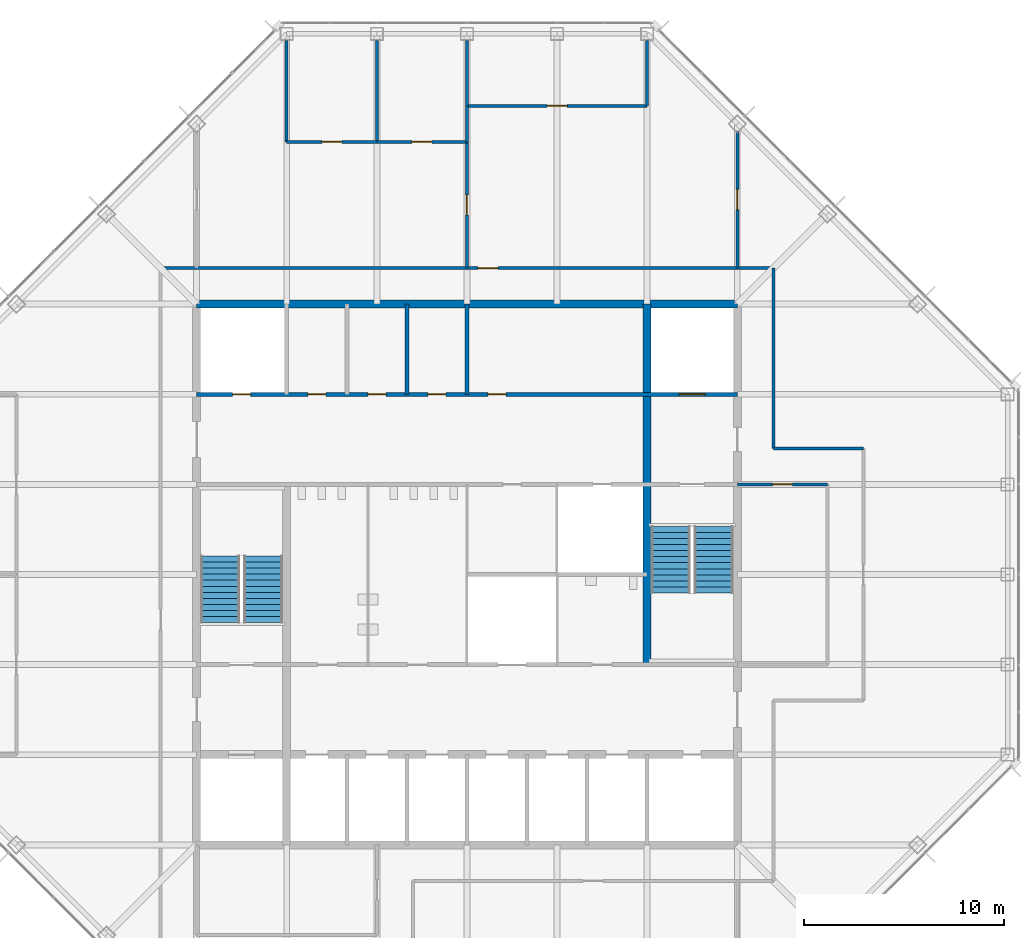
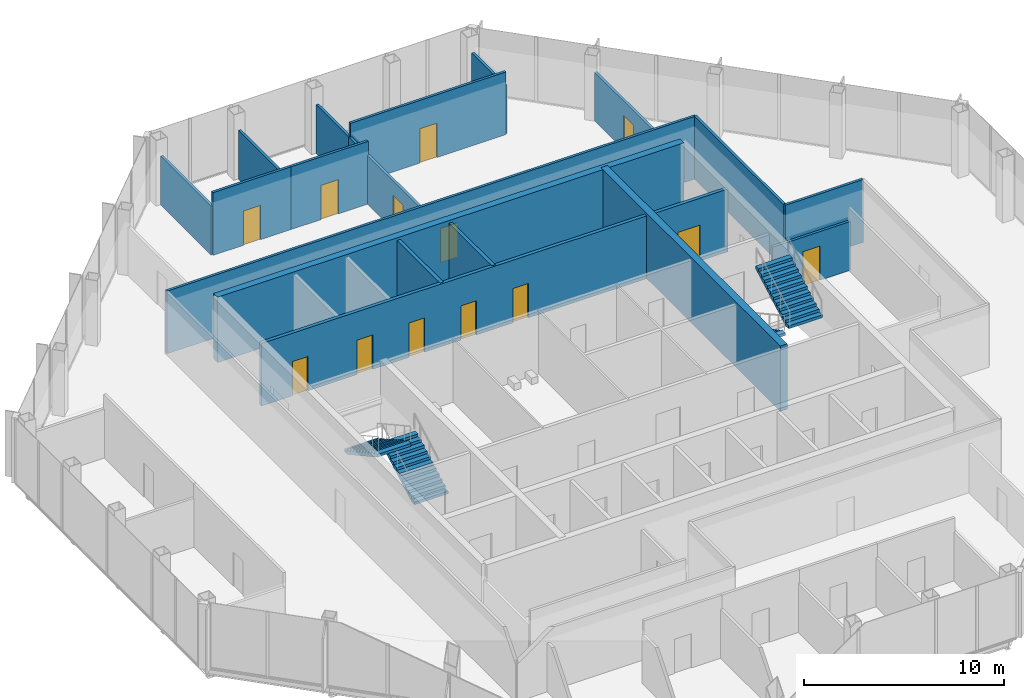
# One storey, part 11 of 13: 19 walls, 13 doors, 4 stair flights, 13 openings, 2 elements without a shape of their own.
"""IFC4 building model written with IfcOpenShell, lengths in metres."""

from ifc_helpers import new_model, si_unit, direction, frame, frame_2d, origin, place, context, subcontext, project, spatial, polyline, rectangle, outline, extrude, material, layer, layer_set, type_object, element, fill, aggregate, save


model = new_model("IFC4")

# Units and contexts
model_context = context("Model", 3, precision=1e-05, world=origin(), true_north=direction((0.0, 1.0)))
body_context = subcontext(model_context, "Body", "Model", "MODEL_VIEW")
ifc_project = project(units=[si_unit("LENGTHUNIT", "METRE"), si_unit("AREAUNIT", "SQUARE_METRE"), si_unit("VOLUMEUNIT", "CUBIC_METRE"), si_unit("PLANEANGLEUNIT", "RADIAN"), si_unit("MASSUNIT", "GRAM", prefix="KILO")], contexts=[model_context])

# Site, building, storey
site_placement = place(None, origin())
site = spatial("IfcSite", under=ifc_project, at=site_placement, CompositionType="ELEMENT")
building_placement = place(site_placement, origin())
building = spatial("IfcBuilding", under=site, at=building_placement, Name="Corais Broadcast Tower", CompositionType="ELEMENT")
storey_placement = place(building_placement, frame((0.0, 0.0, 226.60009765625)))
storey = spatial("IfcBuildingStorey", under=building, at=storey_placement, Name="L52", CompositionType="ELEMENT", Elevation=226.60009765625)

# Walls
ifc_material_1 = material(Name="Concrete C50/60", Category="concrete")
ifc_layer_1 = layer(ifc_material_1, 0.39990234375)
ifc_layer_set_1 = layer_set([ifc_layer_1], Name="Concrete C50/60")
wall_type_1 = type_object("IfcWallType", Name="Core wall 400", PredefinedType="SHEAR", material=ifc_layer_set_1)
wall_1_placement = place(storey_placement, frame((40.5, 40.5, 0.0), z_axis=(0.0, 0.0, 1.0), x_axis=(-1.0, 0.0, 0.0)))
element("IfcWall", 1, at=wall_1_placement, inside=storey, type_object=wall_type_1, Name="CR400 core wall N L52", PredefinedType="SHEAR", context=body_context, shape_type="SweptSolid", body=[
    extrude(rectangle(XDim=27.0, YDim=0.39990234375, at=frame_2d((13.5, 0.0))), origin(), (0.0, 0.0, 1.0), 4.0),
])
wall_2_placement = place(storey_placement, frame((36.0, 22.5, 0.0), z_axis=(0.0, 0.0, 1.0), x_axis=(0.0, 1.0, 0.0)))
element("IfcWall", 2, at=wall_2_placement, inside=storey, type_object=wall_type_1, Name="CR400 core wall X36B L52", PredefinedType="SHEAR", context=body_context, shape_type="SweptSolid", body=[
    extrude(rectangle(XDim=18.0, YDim=0.39990234375, at=frame_2d((9.0, 0.0))), origin(), (0.0, 0.0, 1.0), 4.0),
])

# Wall, openings, doors
ifc_material_2 = material(Name="Concrete blockwork class A, grouted, four-hour", Category="masonry")
ifc_layer_2 = layer(ifc_material_2, 0.199951171875)
ifc_layer_set_2 = layer_set([ifc_layer_2], Name="Concrete blockwork class A, grouted, four-hour")
wall_type_2 = type_object("IfcWallType", Name="Emergency lift shaft wall 200", PredefinedType="SOLIDWALL", material=ifc_layer_set_2)
wall_3_placement = place(storey_placement, frame((13.5, 36.0, 0.0), z_axis=(0.0, 0.0, 1.0), x_axis=(1.0, 0.0, 0.0)))
wall_3 = element("IfcWall", 3, at=wall_3_placement, inside=storey, type_object=wall_type_2, Name="LS3 core lobby wall Y36 L52", PredefinedType="SOLIDWALL", context=body_context, shape_type="SweptSolid", body=[
    extrude(rectangle(XDim=27.0, YDim=0.199951171875, at=frame_2d((13.5, 0.0))), origin(), (0.0, 0.0, 1.0), 3.83984375),
])
opening_1_placement = place(wall_3_placement, frame((1.800048828125, 0.0, 0.0)))
opening_1 = element("IfcOpeningElement", 4, at=opening_1_placement, cuts=wall_3, Name="Opening RD1", PredefinedType="OPENING", context=body_context, shape_type="SweptSolid", body=[
    extrude(rectangle(XDim=0.89990234375, YDim=2.10009765625, at=frame_2d((0.449951171875, 1.050048828125))), frame((0.0, 0.10986328125, 0.0), z_axis=(0.0, -1.0, 0.0), x_axis=(1.0, 0.0, 0.0)), (0.0, 0.0, 1.0), 0.219970703125),
])
opening_2_placement = place(wall_3_placement, frame((5.550048828125, 0.0, 0.0)))
opening_2 = element("IfcOpeningElement", 5, at=opening_2_placement, cuts=wall_3, Name="Opening RD1", PredefinedType="OPENING", context=body_context, shape_type="SweptSolid", body=[
    extrude(rectangle(XDim=0.89990234375, YDim=2.10009765625, at=frame_2d((0.449951171875, 1.050048828125))), frame((0.0, 0.10986328125, 0.0), z_axis=(0.0, -1.0, 0.0), x_axis=(1.0, 0.0, 0.0)), (0.0, 0.0, 1.0), 0.219970703125),
])
opening_3_placement = place(wall_3_placement, frame((8.550048828125, 0.0, 0.0)))
opening_3 = element("IfcOpeningElement", 6, at=opening_3_placement, cuts=wall_3, Name="Opening RD1", PredefinedType="OPENING", context=body_context, shape_type="SweptSolid", body=[
    extrude(rectangle(XDim=0.89990234375, YDim=2.10009765625, at=frame_2d((0.449951171875, 1.050048828125))), frame((0.0, 0.10986328125, 0.0), z_axis=(0.0, -1.0, 0.0), x_axis=(1.0, 0.0, 0.0)), (0.0, 0.0, 1.0), 0.219970703125),
])
opening_4_placement = place(wall_3_placement, frame((11.550048828125, 0.0, 0.0)))
opening_4 = element("IfcOpeningElement", 7, at=opening_4_placement, cuts=wall_3, Name="Opening RD1", PredefinedType="OPENING", context=body_context, shape_type="SweptSolid", body=[
    extrude(rectangle(XDim=0.89990234375, YDim=2.10009765625, at=frame_2d((0.449951171875, 1.050048828125))), frame((0.0, 0.10986328125, 0.0), z_axis=(0.0, -1.0, 0.0), x_axis=(1.0, 0.0, 0.0)), (0.0, 0.0, 1.0), 0.219970703125),
])
opening_5_placement = place(wall_3_placement, frame((14.550048828125, 0.0, 0.0)))
opening_5 = element("IfcOpeningElement", 8, at=opening_5_placement, cuts=wall_3, Name="Opening RD1", PredefinedType="OPENING", context=body_context, shape_type="SweptSolid", body=[
    extrude(rectangle(XDim=0.89990234375, YDim=2.10009765625, at=frame_2d((0.449951171875, 1.050048828125))), frame((0.0, 0.10986328125, 0.0), z_axis=(0.0, -1.0, 0.0), x_axis=(1.0, 0.0, 0.0)), (0.0, 0.0, 1.0), 0.219970703125),
])
opening_6_placement = place(wall_3_placement, frame((24.10009765625, 0.0, 0.0)))
opening_6 = element("IfcOpeningElement", 9, at=opening_6_placement, cuts=wall_3, Name="Opening LD2", PredefinedType="OPENING", context=body_context, shape_type="SweptSolid", body=[
    extrude(rectangle(XDim=1.300048828125, YDim=2.199951171875, at=frame_2d((0.64990234375, 1.10009765625))), frame((0.0, 0.10986328125, 0.0), z_axis=(0.0, -1.0, 0.0), x_axis=(1.0, 0.0, 0.0)), (0.0, 0.0, 1.0), 0.219970703125),
])
ifc_material_3 = material(Name="Stainless steel lift door", Category="steel")
door_type_1 = type_object("IfcDoorType", Name="Lift landing door 1300x2200", OperationType="SLIDING_TO_LEFT", PredefinedType="DOOR", material=ifc_material_3)
door_1_placement = place(opening_6_placement, origin())
door_1 = element("IfcDoor", 10, at=door_1_placement, inside=storey, type_object=door_type_1, Name="LD2 FL2 landing door L52", OperationType="SLIDING_TO_LEFT", OverallHeight=2.199951171875, OverallWidth=1.300048828125, PredefinedType="DOOR", context=body_context, shape_type="SweptSolid", body=[
    extrude(rectangle(XDim=1.300048828125, YDim=2.199951171875, at=frame_2d((0.64990234375, 1.10009765625))), frame((0.0, 0.02490234375, 0.0), z_axis=(0.0, -1.0, 0.0), x_axis=(1.0, 0.0, 0.0)), (0.0, 0.0, 1.0), 0.050048828125),
])
fill(opening_6, door_1)
ifc_material_4 = material(Name="Steel fire door", Category="steel")
door_type_2 = type_object("IfcDoorType", Name="Riser door 900x2100", OperationType="SINGLE_SWING_LEFT", PredefinedType="DOOR", material=ifc_material_4)
door_2_placement = place(opening_1_placement, origin())
door_2 = element("IfcDoor", 11, at=door_2_placement, inside=storey, type_object=door_type_2, Name="RD1 riser door L52", OperationType="SINGLE_SWING_LEFT", OverallHeight=2.10009765625, OverallWidth=0.89990234375, PredefinedType="DOOR", context=body_context, shape_type="SweptSolid", body=[
    extrude(rectangle(XDim=0.89990234375, YDim=2.10009765625, at=frame_2d((0.449951171875, 1.050048828125))), frame((0.0, 0.02490234375, 0.0), z_axis=(0.0, -1.0, 0.0), x_axis=(1.0, 0.0, 0.0)), (0.0, 0.0, 1.0), 0.050048828125),
])
fill(opening_1, door_2)
door_3_placement = place(opening_2_placement, origin())
door_3 = element("IfcDoor", 12, at=door_3_placement, inside=storey, type_object=door_type_2, Name="RD1 wellness room door L52", OperationType="SINGLE_SWING_LEFT", OverallHeight=2.10009765625, OverallWidth=0.89990234375, PredefinedType="DOOR", context=body_context, shape_type="SweptSolid", body=[
    extrude(rectangle(XDim=0.89990234375, YDim=2.10009765625, at=frame_2d((0.449951171875, 1.050048828125))), frame((0.0, 0.02490234375, 0.0), z_axis=(0.0, -1.0, 0.0), x_axis=(1.0, 0.0, 0.0)), (0.0, 0.0, 1.0), 0.050048828125),
])
fill(opening_2, door_3)
door_4_placement = place(opening_3_placement, origin())
door_4 = element("IfcDoor", 13, at=door_4_placement, inside=storey, type_object=door_type_2, Name="RD1 first aid room door L52", OperationType="SINGLE_SWING_LEFT", OverallHeight=2.10009765625, OverallWidth=0.89990234375, PredefinedType="DOOR", context=body_context, shape_type="SweptSolid", body=[
    extrude(rectangle(XDim=0.89990234375, YDim=2.10009765625, at=frame_2d((0.449951171875, 1.050048828125))), frame((0.0, 0.02490234375, 0.0), z_axis=(0.0, -1.0, 0.0), x_axis=(1.0, 0.0, 0.0)), (0.0, 0.0, 1.0), 0.050048828125),
])
fill(opening_3, door_4)
door_5_placement = place(opening_4_placement, origin())
door_5 = element("IfcDoor", 14, at=door_5_placement, inside=storey, type_object=door_type_2, Name="RD1 stationery store door L52", OperationType="SINGLE_SWING_LEFT", OverallHeight=2.10009765625, OverallWidth=0.89990234375, PredefinedType="DOOR", context=body_context, shape_type="SweptSolid", body=[
    extrude(rectangle(XDim=0.89990234375, YDim=2.10009765625, at=frame_2d((0.449951171875, 1.050048828125))), frame((0.0, 0.02490234375, 0.0), z_axis=(0.0, -1.0, 0.0), x_axis=(1.0, 0.0, 0.0)), (0.0, 0.0, 1.0), 0.050048828125),
])
fill(opening_4, door_5)
door_6_placement = place(opening_5_placement, origin())
door_6 = element("IfcDoor", 15, at=door_6_placement, inside=storey, type_object=door_type_2, Name="RD1 vending room door L52", OperationType="SINGLE_SWING_RIGHT", OverallHeight=2.10009765625, OverallWidth=0.89990234375, PredefinedType="DOOR", context=body_context, shape_type="SweptSolid", body=[
    extrude(rectangle(XDim=0.89990234375, YDim=2.10009765625, at=frame_2d((0.449951171875, 1.050048828125))), frame((0.0, 0.02490234375, 0.0), z_axis=(0.0, -1.0, 0.0), x_axis=(1.0, 0.0, 0.0)), (0.0, 0.0, 1.0), 0.050048828125),
])
fill(opening_5, door_6)

# Wall, opening, door
ifc_material_5 = material(Name="Gypsum board on steel studs", Category="steel")
ifc_layer_3 = layer(ifc_material_5, 0.14990234375)
ifc_layer_set_3 = layer_set([ifc_layer_3], Name="Gypsum board on steel studs")
wall_type_3 = type_object("IfcWallType", Name="Partition 150", PredefinedType="PARTITIONING", material=ifc_layer_set_3)
wall_4_placement = place(storey_placement, frame((42.300048828125, 42.300048828125, 0.0), z_axis=(0.0, 0.0, 1.0), x_axis=(-1.0, 0.0, 0.0)))
wall_4 = element("IfcWall", 16, at=wall_4_placement, inside=storey, type_object=wall_type_3, Name="IW3 corridor wall L52", PredefinedType="PARTITIONING", context=body_context, shape_type="SweptSolid", body=[
    extrude(rectangle(XDim=30.60009765625, YDim=0.14990234375, at=frame_2d((15.300048828125, 0.0))), origin(), (0.0, 0.0, 1.0), 3.83984375),
])
opening_7_placement = place(wall_4_placement, frame((13.75, 0.0, 0.0)))
opening_7 = element("IfcOpeningElement", 17, at=opening_7_placement, cuts=wall_4, Name="Opening D1", PredefinedType="OPENING", context=body_context, shape_type="SweptSolid", body=[
    extrude(rectangle(XDim=1.0, YDim=2.10009765625, at=frame_2d((0.5, 1.050048828125))), frame((0.0, 0.0849609375, 0.0), z_axis=(0.0, -1.0, 0.0), x_axis=(1.0, 0.0, 0.0)), (0.0, 0.0, 1.0), 0.169921875),
])
ifc_material_6 = material(Name="Timber door", Category="wood")
door_type_3 = type_object("IfcDoorType", Name="Single door 1000x2100", OperationType="SINGLE_SWING_LEFT", PredefinedType="DOOR", material=ifc_material_6)
door_7_placement = place(opening_7_placement, origin())
door_7 = element("IfcDoor", 18, at=door_7_placement, inside=storey, type_object=door_type_3, Name="D1 workplace door L52", OperationType="SINGLE_SWING_LEFT", OverallHeight=2.10009765625, OverallWidth=1.0, PredefinedType="DOOR", context=body_context, shape_type="SweptSolid", body=[
    extrude(rectangle(XDim=1.0, YDim=2.10009765625, at=frame_2d((0.5, 1.050048828125))), frame((0.0, 0.02490234375, 0.0), z_axis=(0.0, -1.0, 0.0), x_axis=(1.0, 0.0, 0.0)), (0.0, 0.0, 1.0), 0.050048828125),
])
fill(opening_7, door_7)

# Walls
wall_5_placement = place(storey_placement, frame((42.300048828125, 33.300048828125, 0.0), z_axis=(0.0, 0.0, 1.0), x_axis=(0.0, 1.0, 0.0)))
element("IfcWall", 19, at=wall_5_placement, inside=storey, type_object=wall_type_3, Name="IW3 corridor wall L52", PredefinedType="PARTITIONING", context=body_context, shape_type="SweptSolid", body=[
    extrude(rectangle(XDim=9.0, YDim=0.14990234375, at=frame_2d((4.5, 0.0))), origin(), (0.0, 0.0, 1.0), 3.83984375),
])
wall_6_placement = place(storey_placement, frame((46.800048828125, 33.300048828125, 0.0), z_axis=(0.0, 0.0, 1.0), x_axis=(-1.0, 0.0, 0.0)))
element("IfcWall", 20, at=wall_6_placement, inside=storey, type_object=wall_type_3, Name="IW3 corridor wall L52", PredefinedType="PARTITIONING", context=body_context, shape_type="SweptSolid", body=[
    extrude(rectangle(XDim=4.5, YDim=0.14990234375, at=frame_2d((2.25, 0.0))), origin(), (0.0, 0.0, 1.0), 3.83984375),
])

# Wall, opening, door
wall_7_placement = place(storey_placement, frame((45.0, 31.5, 0.0), z_axis=(0.0, 0.0, 1.0), x_axis=(-1.0, 0.0, 0.0)))
wall_7 = element("IfcWall", 21, at=wall_7_placement, inside=storey, type_object=wall_type_3, Name="IW3 partition L52", PredefinedType="PARTITIONING", context=body_context, shape_type="SweptSolid", body=[
    extrude(rectangle(XDim=4.5, YDim=0.14990234375, at=frame_2d((2.25, 0.0))), origin(), (0.0, 0.0, 1.0), 2.989013671875),
])
opening_8_placement = place(wall_7_placement, frame((1.75, 0.0, 0.0)))
opening_8 = element("IfcOpeningElement", 22, at=opening_8_placement, cuts=wall_7, Name="Opening D1", PredefinedType="OPENING", context=body_context, shape_type="SweptSolid", body=[
    extrude(rectangle(XDim=1.0, YDim=2.10009765625, at=frame_2d((0.5, 1.050048828125))), frame((0.0, 0.0849609375, 0.0), z_axis=(0.0, -1.0, 0.0), x_axis=(1.0, 0.0, 0.0)), (0.0, 0.0, 1.0), 0.169921875),
])
door_8_placement = place(opening_8_placement, origin())
door_8 = element("IfcDoor", 23, at=door_8_placement, inside=storey, type_object=door_type_3, Name="D1 Meeting room door", OperationType="SINGLE_SWING_LEFT", OverallHeight=2.10009765625, OverallWidth=1.0, PredefinedType="DOOR", context=body_context, shape_type="SweptSolid", body=[
    extrude(rectangle(XDim=1.0, YDim=2.10009765625, at=frame_2d((0.5, 1.050048828125))), frame((0.0, 0.02490234375, 0.0), z_axis=(0.0, -1.0, 0.0), x_axis=(1.0, 0.0, 0.0)), (0.0, 0.0, 1.0), 0.050048828125),
])
fill(opening_8, door_8)

wall_8_placement = place(storey_placement, frame((27.0, 50.39990234375, 0.0), z_axis=(0.0, 0.0, 1.0), x_axis=(1.0, 0.0, 0.0)))
wall_8 = element("IfcWall", 24, at=wall_8_placement, inside=storey, type_object=wall_type_3, Name="IW3 partition L52", PredefinedType="PARTITIONING", context=body_context, shape_type="SweptSolid", body=[
    extrude(rectangle(XDim=9.0, YDim=0.14990234375, at=frame_2d((4.5, 0.0))), origin(), (0.0, 0.0, 1.0), 3.83984375),
])
opening_9_placement = place(wall_8_placement, frame((4.0, 0.0, 0.0)))
opening_9 = element("IfcOpeningElement", 25, at=opening_9_placement, cuts=wall_8, Name="Opening D1", PredefinedType="OPENING", context=body_context, shape_type="SweptSolid", body=[
    extrude(rectangle(XDim=1.0, YDim=2.10009765625, at=frame_2d((0.5, 1.050048828125))), frame((0.0, 0.0849609375, 0.0), z_axis=(0.0, -1.0, 0.0), x_axis=(1.0, 0.0, 0.0)), (0.0, 0.0, 1.0), 0.169921875),
])
door_9_placement = place(opening_9_placement, origin())
door_9 = element("IfcDoor", 26, at=door_9_placement, inside=storey, type_object=door_type_3, Name="D1 Pantry door", OperationType="SINGLE_SWING_LEFT", OverallHeight=2.10009765625, OverallWidth=1.0, PredefinedType="DOOR", context=body_context, shape_type="SweptSolid", body=[
    extrude(rectangle(XDim=1.0, YDim=2.10009765625, at=frame_2d((0.5, 1.050048828125))), frame((0.0, 0.02490234375, 0.0), z_axis=(0.0, -1.0, 0.0), x_axis=(1.0, 0.0, 0.0)), (0.0, 0.0, 1.0), 0.050048828125),
])
fill(opening_9, door_9)

# Walls
for number, where, z_axis, x_axis, name in (
    (27, (36.0, 50.39990234375, 0.0), (0.0, 0.0, 1.0), (0.0, 1.0, 0.0), "IW3 partition L52"),
    (28, (27.0, 53.6650390625, 0.0), (0.0, 0.0, 1.0), (0.0, -1.0, 0.0), "IW3 partition L52"),
):
    element("IfcWall", number, at=place(storey_placement, frame(where, z_axis=z_axis, x_axis=x_axis)), inside=storey, type_object=wall_type_3, Name=name, PredefinedType="PARTITIONING", context=body_context, shape_type="SweptSolid", body=[
        extrude(rectangle(XDim=3.26513671875, YDim=0.14990234375, at=frame_2d((1.632568359375, 0.0))), origin(), (0.0, 0.0, 1.0), 2.989013671875),
    ])

# Wall, opening, door
wall_9_placement = place(storey_placement, frame((18.0, 48.60009765625, 0.0), z_axis=(0.0, 0.0, 1.0), x_axis=(1.0, 0.0, 0.0)))
wall_9 = element("IfcWall", 29, at=wall_9_placement, inside=storey, type_object=wall_type_3, Name="IW3 partition L52", PredefinedType="PARTITIONING", context=body_context, shape_type="SweptSolid", body=[
    extrude(rectangle(XDim=4.5, YDim=0.14990234375, at=frame_2d((2.25, 0.0))), origin(), (0.0, 0.0, 1.0), 3.83984375),
])
opening_10_placement = place(wall_9_placement, frame((1.75, 0.0, 0.0)))
opening_10 = element("IfcOpeningElement", 30, at=opening_10_placement, cuts=wall_9, Name="Opening D1", PredefinedType="OPENING", context=body_context, shape_type="SweptSolid", body=[
    extrude(rectangle(XDim=1.0, YDim=2.10009765625, at=frame_2d((0.5, 1.050048828125))), frame((0.0, 0.0849609375, 0.0), z_axis=(0.0, -1.0, 0.0), x_axis=(1.0, 0.0, 0.0)), (0.0, 0.0, 1.0), 0.169921875),
])
door_10_placement = place(opening_10_placement, origin())
door_10 = element("IfcDoor", 31, at=door_10_placement, inside=storey, type_object=door_type_3, Name="D1 Press office door", OperationType="SINGLE_SWING_LEFT", OverallHeight=2.10009765625, OverallWidth=1.0, PredefinedType="DOOR", context=body_context, shape_type="SweptSolid", body=[
    extrude(rectangle(XDim=1.0, YDim=2.10009765625, at=frame_2d((0.5, 1.050048828125))), frame((0.0, 0.02490234375, 0.0), z_axis=(0.0, -1.0, 0.0), x_axis=(1.0, 0.0, 0.0)), (0.0, 0.0, 1.0), 0.050048828125),
])
fill(opening_10, door_10)

# Walls
for number, where, z_axis, x_axis, name in (
    (32, (22.5, 48.60009765625, 0.0), (0.0, 0.0, 1.0), (0.0, 1.0, 0.0), "IW3 partition L52"),
    (33, (18.0, 53.6650390625, 0.0), (0.0, 0.0, 1.0), (0.0, -1.0, 0.0), "IW3 partition L52"),
):
    element("IfcWall", number, at=place(storey_placement, frame(where, z_axis=z_axis, x_axis=x_axis)), inside=storey, type_object=wall_type_3, Name=name, PredefinedType="PARTITIONING", context=body_context, shape_type="SweptSolid", body=[
        extrude(rectangle(XDim=5.06494140625, YDim=0.14990234375, at=frame_2d((2.532470703125, 0.0))), origin(), (0.0, 0.0, 1.0), 2.989013671875),
    ])

# Wall, opening, door
wall_10_placement = place(storey_placement, frame((22.5, 48.60009765625, 0.0), z_axis=(0.0, 0.0, 1.0), x_axis=(1.0, 0.0, 0.0)))
wall_10 = element("IfcWall", 34, at=wall_10_placement, inside=storey, type_object=wall_type_3, Name="IW3 partition L52", PredefinedType="PARTITIONING", context=body_context, shape_type="SweptSolid", body=[
    extrude(rectangle(XDim=4.5, YDim=0.14990234375, at=frame_2d((2.25, 0.0))), origin(), (0.0, 0.0, 1.0), 3.83984375),
])
opening_11_placement = place(wall_10_placement, frame((1.75, 0.0, 0.0)))
opening_11 = element("IfcOpeningElement", 35, at=opening_11_placement, cuts=wall_10, Name="Opening D1", PredefinedType="OPENING", context=body_context, shape_type="SweptSolid", body=[
    extrude(rectangle(XDim=1.0, YDim=2.10009765625, at=frame_2d((0.5, 1.050048828125))), frame((0.0, 0.0849609375, 0.0), z_axis=(0.0, -1.0, 0.0), x_axis=(1.0, 0.0, 0.0)), (0.0, 0.0, 1.0), 0.169921875),
])
door_11_placement = place(opening_11_placement, origin())
door_11 = element("IfcDoor", 36, at=door_11_placement, inside=storey, type_object=door_type_3, Name="D1 Press office door", OperationType="SINGLE_SWING_LEFT", OverallHeight=2.10009765625, OverallWidth=1.0, PredefinedType="DOOR", context=body_context, shape_type="SweptSolid", body=[
    extrude(rectangle(XDim=1.0, YDim=2.10009765625, at=frame_2d((0.5, 1.050048828125))), frame((0.0, 0.02490234375, 0.0), z_axis=(0.0, -1.0, 0.0), x_axis=(1.0, 0.0, 0.0)), (0.0, 0.0, 1.0), 0.050048828125),
])
fill(opening_11, door_11)

# Wall
wall_11_placement = place(storey_placement, frame((27.0, 48.60009765625, 0.0), z_axis=(0.0, 0.0, 1.0), x_axis=(0.0, 1.0, 0.0)))
element("IfcWall", 37, at=wall_11_placement, inside=storey, type_object=wall_type_3, Name="IW3 partition L52", PredefinedType="PARTITIONING", context=body_context, shape_type="SweptSolid", body=[
    extrude(rectangle(XDim=1.7998046875, YDim=0.14990234375, at=frame_2d((0.89990234375, 0.0))), origin(), (0.0, 0.0, 1.0), 2.989013671875),
])

# Wall, opening, door
wall_12_placement = place(storey_placement, frame((40.5, 49.155029296875, 0.0), z_axis=(0.0, 0.0, 1.0), x_axis=(0.0, -1.0, 0.0)))
wall_12 = element("IfcWall", 38, at=wall_12_placement, inside=storey, type_object=wall_type_3, Name="IW3 partition L52", PredefinedType="PARTITIONING", context=body_context, shape_type="SweptSolid", body=[
    extrude(rectangle(XDim=6.85498046875, YDim=0.14990234375, at=frame_2d((3.427490234375, 0.0))), origin(), (0.0, 0.0, 1.0), 2.989013671875),
])
opening_12_placement = place(wall_12_placement, frame((2.927490234375, 0.0, 0.0)))
opening_12 = element("IfcOpeningElement", 39, at=opening_12_placement, cuts=wall_12, Name="Opening D1", PredefinedType="OPENING", context=body_context, shape_type="SweptSolid", body=[
    extrude(rectangle(XDim=1.0, YDim=2.10009765625, at=frame_2d((0.5, 1.050048828125))), frame((0.0, 0.0849609375, 0.0), z_axis=(0.0, -1.0, 0.0), x_axis=(1.0, 0.0, 0.0)), (0.0, 0.0, 1.0), 0.169921875),
])
door_12_placement = place(opening_12_placement, origin())
door_12 = element("IfcDoor", 40, at=door_12_placement, inside=storey, type_object=door_type_3, Name="D1 team room door L52", OperationType="SINGLE_SWING_LEFT", OverallHeight=2.10009765625, OverallWidth=1.0, PredefinedType="DOOR", context=body_context, shape_type="SweptSolid", body=[
    extrude(rectangle(XDim=1.0, YDim=2.10009765625, at=frame_2d((0.5, 1.050048828125))), frame((0.0, 0.02490234375, 0.0), z_axis=(0.0, -1.0, 0.0), x_axis=(1.0, 0.0, 0.0)), (0.0, 0.0, 1.0), 0.050048828125),
])
fill(opening_12, door_12)

wall_13_placement = place(storey_placement, frame((27.0, 42.300048828125, 0.0), z_axis=(0.0, 0.0, 1.0), x_axis=(0.0, 1.0, 0.0)))
wall_13 = element("IfcWall", 41, at=wall_13_placement, inside=storey, type_object=wall_type_3, Name="IW3 partition L52", PredefinedType="PARTITIONING", context=body_context, shape_type="SweptSolid", body=[
    extrude(rectangle(XDim=6.320068359375, YDim=0.14990234375, at=frame_2d((3.16015625, 0.0))), origin(), (0.0, 0.0, 1.0), 2.989013671875),
])
opening_13_placement = place(wall_13_placement, frame((2.659912109375, 0.0, 0.0)))
opening_13 = element("IfcOpeningElement", 42, at=opening_13_placement, cuts=wall_13, Name="Opening D1", PredefinedType="OPENING", context=body_context, shape_type="SweptSolid", body=[
    extrude(rectangle(XDim=1.0, YDim=2.10009765625, at=frame_2d((0.5, 1.050048828125))), frame((0.0, 0.0849609375, 0.0), z_axis=(0.0, -1.0, 0.0), x_axis=(1.0, 0.0, 0.0)), (0.0, 0.0, 1.0), 0.169921875),
])
door_13_placement = place(opening_13_placement, origin())
door_13 = element("IfcDoor", 43, at=door_13_placement, inside=storey, type_object=door_type_3, Name="D1 team room door L52", OperationType="SINGLE_SWING_LEFT", OverallHeight=2.10009765625, OverallWidth=1.0, PredefinedType="DOOR", context=body_context, shape_type="SweptSolid", body=[
    extrude(rectangle(XDim=1.0, YDim=2.10009765625, at=frame_2d((0.5, 1.050048828125))), frame((0.0, 0.02490234375, 0.0), z_axis=(0.0, -1.0, 0.0), x_axis=(1.0, 0.0, 0.0)), (0.0, 0.0, 1.0), 0.050048828125),
])
fill(opening_13, door_13)

# Walls
ifc_material_7 = material(Name="Concrete blockwork class A, grouted, two-hour", Category="masonry")
ifc_layer_4 = layer(ifc_material_7, 0.199951171875)
ifc_layer_set_4 = layer_set([ifc_layer_4], Name="Concrete blockwork class A, grouted, two-hour")
wall_type_4 = type_object("IfcWallType", Name="Shaft wall 200", PredefinedType="PARTITIONING", material=ifc_layer_set_4)
for number, where, z_axis, x_axis, name in (
    (44, (24.0, 36.0, 0.0), (0.0, 0.0, 1.0), (0.0, 1.0, 0.0), "IW1 shaft wall L52"),
    (45, (27.0, 36.0, 0.0), (0.0, 0.0, 1.0), (0.0, 1.0, 0.0), "IW1 shaft wall L52"),
):
    element("IfcWall", number, at=place(storey_placement, frame(where, z_axis=z_axis, x_axis=x_axis)), inside=storey, type_object=wall_type_4, Name=name, PredefinedType="PARTITIONING", context=body_context, shape_type="SweptSolid", body=[
        extrude(rectangle(XDim=4.5, YDim=0.199951171875, at=frame_2d((2.25, 0.0))), origin(), (0.0, 0.0, 1.0), 3.83984375),
    ])

# Stair, stair flights
ifc_material_8 = material(Name="Concrete C30/37", Category="concrete")
stair_type = type_object("IfcStairType", Name="Half-turn stair 4000", PredefinedType="HALF_TURN_STAIR", material=ifc_material_8)
stair_1_placement = place(storey_placement, origin())
stair_1 = element("IfcStair", 46, at=stair_1_placement, inside=storey, type_object=stair_type, Name="Stair A L52", PredefinedType="HALF_TURN_STAIR")
ifc_material_9 = material(Name="Concrete C30/37", Category="concrete")
stair_flight_type = type_object("IfcStairFlightType", Name="Stair flight 4000", PredefinedType="STRAIGHT", material=ifc_material_9)
stair_flight_1_placement = place(storey_placement, frame((16.824951171875, 24.60009765625, 0.0), z_axis=(0.0, 0.0, 1.0), x_axis=(0.0, 1.0, 0.0)))
stair_flight_1 = element("IfcStairFlight", 47, at=stair_flight_1_placement, type_object=stair_flight_type, Name="STA flight 1", NumberOfRisers=12, NumberOfTreads=11, PredefinedType="STRAIGHT", RiserHeight=0.166666667, TreadLength=0.302, context=body_context, shape_type="SweptSolid", body=[
    extrude(outline(polyline([(0.0, 0.0), (0.0, 0.166748046875), (0.302001953125, 0.166748046875), (0.302001953125, 0.333251953125), (0.60400390625, 0.333251953125), (0.60400390625, 0.5), (0.906005859375, 0.5), (0.906005859375, 0.666748046875), (1.2080078125, 0.666748046875), (1.2080078125, 0.833251953125), (1.510009765625, 0.833251953125), (1.510009765625, 1.0), (1.81201171875, 1.0), (1.81201171875, 1.166748046875), (2.114013671875, 1.166748046875), (2.114013671875, 1.333251953125), (2.416015625, 1.333251953125), (2.416015625, 1.5), (2.718017578125, 1.5), (2.718017578125, 1.666748046875), (3.02001953125, 1.666748046875), (3.02001953125, 1.833251953125), (3.322021484375, 1.833251953125), (3.322021484375, 2.0), (3.322021484375, 1.662109375), (0.310302734375, 0.0), (0.0, 0.0)])), frame((0.0, 0.97509765625, 0.0), z_axis=(0.0, -1.0, 0.0), x_axis=(1.0, 0.0, 0.0)), (0.0, 0.0, 1.0), 1.949951171875),
])
stair_flight_2_placement = place(storey_placement, frame((14.675048828125, 27.922119140625, 2.0), z_axis=(0.0, 0.0, 1.0), x_axis=(0.0, -1.0, 0.0)))
stair_flight_2 = element("IfcStairFlight", 48, at=stair_flight_2_placement, type_object=stair_flight_type, Name="STA flight 2", NumberOfRisers=12, NumberOfTreads=11, PredefinedType="STRAIGHT", RiserHeight=0.166666667, TreadLength=0.302, context=body_context, shape_type="SweptSolid", body=[
    extrude(outline(polyline([(0.0, 0.0), (0.0, 0.166748046875), (0.302001953125, 0.166748046875), (0.302001953125, 0.333251953125), (0.60400390625, 0.333251953125), (0.60400390625, 0.5), (0.906005859375, 0.5), (0.906005859375, 0.666748046875), (1.2080078125, 0.666748046875), (1.2080078125, 0.833251953125), (1.510009765625, 0.833251953125), (1.510009765625, 1.0), (1.81201171875, 1.0), (1.81201171875, 1.166748046875), (2.114013671875, 1.166748046875), (2.114013671875, 1.333251953125), (2.416015625, 1.333251953125), (2.416015625, 1.5), (2.718017578125, 1.5), (2.718017578125, 1.666748046875), (3.02001953125, 1.666748046875), (3.02001953125, 1.833251953125), (3.322021484375, 1.833251953125), (3.322021484375, 2.0), (3.322021484375, 1.662109375), (0.310302734375, 0.0), (0.0, 0.0)])), frame((0.0, 0.97509765625, 0.0), z_axis=(0.0, -1.0, 0.0), x_axis=(1.0, 0.0, 0.0)), (0.0, 0.0, 1.0), 1.949951171875),
])
aggregate(stair_1, [stair_flight_1, stair_flight_2])

stair_2_placement = place(storey_placement, origin())
stair_2 = element("IfcStair", 49, at=stair_2_placement, inside=storey, type_object=stair_type, Name="Stair B L52", PredefinedType="HALF_TURN_STAIR")
stair_flight_3_placement = place(storey_placement, frame((37.175048828125, 29.39990234375, 0.0), z_axis=(0.0, 0.0, 1.0), x_axis=(0.0, -1.0, 0.0)))
stair_flight_3 = element("IfcStairFlight", 50, at=stair_flight_3_placement, type_object=stair_flight_type, Name="STB flight 1", NumberOfRisers=12, NumberOfTreads=11, PredefinedType="STRAIGHT", RiserHeight=0.166666667, TreadLength=0.302, context=body_context, shape_type="SweptSolid", body=[
    extrude(outline(polyline([(0.0, 0.0), (0.0, 0.166748046875), (0.302001953125, 0.166748046875), (0.302001953125, 0.333251953125), (0.60400390625, 0.333251953125), (0.60400390625, 0.5), (0.906005859375, 0.5), (0.906005859375, 0.666748046875), (1.2080078125, 0.666748046875), (1.2080078125, 0.833251953125), (1.510009765625, 0.833251953125), (1.510009765625, 1.0), (1.81201171875, 1.0), (1.81201171875, 1.166748046875), (2.114013671875, 1.166748046875), (2.114013671875, 1.333251953125), (2.416015625, 1.333251953125), (2.416015625, 1.5), (2.718017578125, 1.5), (2.718017578125, 1.666748046875), (3.02001953125, 1.666748046875), (3.02001953125, 1.833251953125), (3.322021484375, 1.833251953125), (3.322021484375, 2.0), (3.322021484375, 1.662109375), (0.310302734375, 0.0), (0.0, 0.0)])), frame((0.0, 0.97509765625, 0.0), z_axis=(0.0, -1.0, 0.0), x_axis=(1.0, 0.0, 0.0)), (0.0, 0.0, 1.0), 1.949951171875),
])
stair_flight_4_placement = place(storey_placement, frame((39.324951171875, 26.077880859375, 2.0), z_axis=(0.0, 0.0, 1.0), x_axis=(0.0, 1.0, 0.0)))
stair_flight_4 = element("IfcStairFlight", 51, at=stair_flight_4_placement, type_object=stair_flight_type, Name="STB flight 2", NumberOfRisers=12, NumberOfTreads=11, PredefinedType="STRAIGHT", RiserHeight=0.166666667, TreadLength=0.302, context=body_context, shape_type="SweptSolid", body=[
    extrude(outline(polyline([(0.0, 0.0), (0.0, 0.166748046875), (0.302001953125, 0.166748046875), (0.302001953125, 0.333251953125), (0.60400390625, 0.333251953125), (0.60400390625, 0.5), (0.906005859375, 0.5), (0.906005859375, 0.666748046875), (1.2080078125, 0.666748046875), (1.2080078125, 0.833251953125), (1.510009765625, 0.833251953125), (1.510009765625, 1.0), (1.81201171875, 1.0), (1.81201171875, 1.166748046875), (2.114013671875, 1.166748046875), (2.114013671875, 1.333251953125), (2.416015625, 1.333251953125), (2.416015625, 1.5), (2.718017578125, 1.5), (2.718017578125, 1.666748046875), (3.02001953125, 1.666748046875), (3.02001953125, 1.833251953125), (3.322021484375, 1.833251953125), (3.322021484375, 2.0), (3.322021484375, 1.662109375), (0.310302734375, 0.0), (0.0, 0.0)])), frame((0.0, 0.97509765625, 0.0), z_axis=(0.0, -1.0, 0.0), x_axis=(1.0, 0.0, 0.0)), (0.0, 0.0, 1.0), 1.949951171875),
])
aggregate(stair_2, [stair_flight_3, stair_flight_4])

save(model, "model.ifc")
